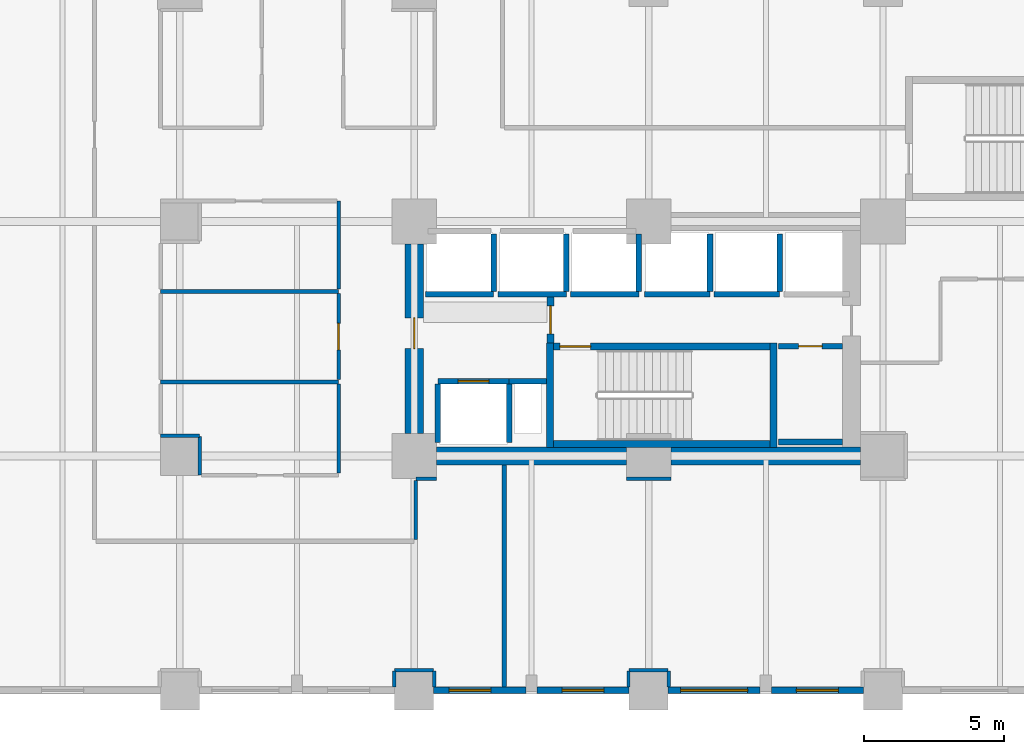
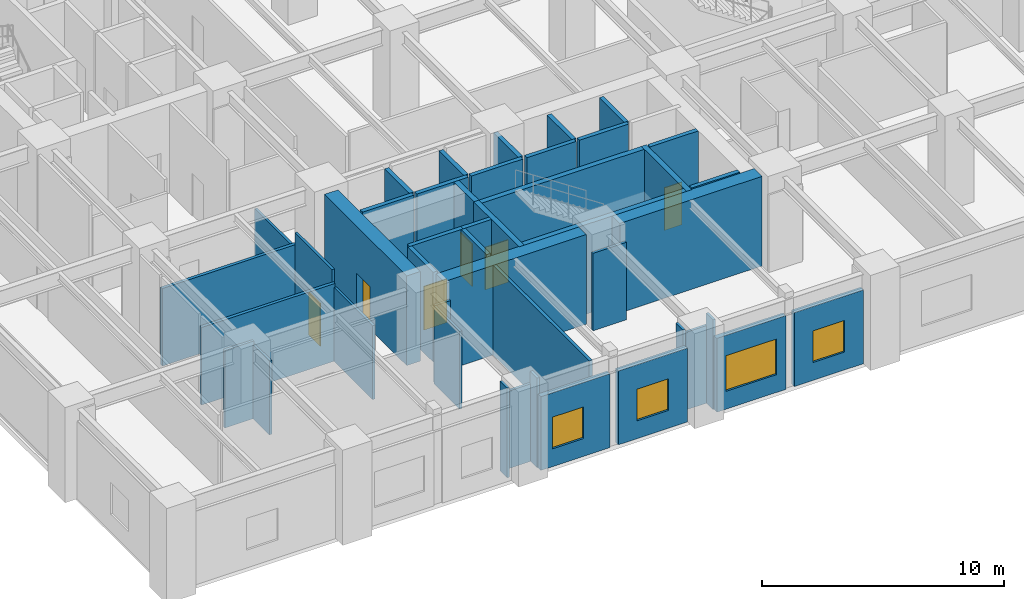
# One storey, part 19 of 23: 45 walls, 6 doors, 4 windows, 10 openings.
"""IFC4 building model written with IfcOpenShell, lengths in metres."""

from ifc_helpers import new_model, si_unit, direction, frame, frame_2d, origin, place, context, subcontext, project, spatial, rectangle, extrude, material, layer, layer_set, type_object, element, fill, save


model = new_model("IFC4")

# Units and contexts
model_context = context("Model", 3, precision=1e-05, world=origin(), true_north=direction((0.0, 1.0)))
body_context = subcontext(model_context, "Body", "Model", "MODEL_VIEW")
ifc_project = project(units=[si_unit("LENGTHUNIT", "METRE"), si_unit("AREAUNIT", "SQUARE_METRE"), si_unit("VOLUMEUNIT", "CUBIC_METRE"), si_unit("PLANEANGLEUNIT", "RADIAN"), si_unit("MASSUNIT", "GRAM", prefix="KILO")], contexts=[model_context])

# Site, building, storey
site_placement = place(None, origin())
site = spatial("IfcSite", under=ifc_project, at=site_placement, CompositionType="ELEMENT")
building_placement = place(site_placement, origin())
building = spatial("IfcBuilding", under=site, at=building_placement, Name="Nerrivon Quay Data Exchange", CompositionType="ELEMENT")
storey_placement = place(building_placement, frame((0.0, 0.0, 5.39990234375)))
storey = spatial("IfcBuildingStorey", under=building, at=storey_placement, Name="L01", CompositionType="ELEMENT", Elevation=5.39990234375)

# Wall, opening, window
ifc_material_1 = material(Name="Architectural terracotta precast concrete N50 (50 MPa)", Category="masonry")
ifc_layer_1 = layer(ifc_material_1, 0.239990234375)
ifc_layer_set_1 = layer_set([ifc_layer_1], Name="Architectural terracotta precast concrete N50 (50 MPa)")
wall_type_1 = type_object("IfcWallType", Name="EW-PREC-240", PredefinedType="STANDARD", material=ifc_layer_set_1)
wall_1_placement = place(storey_placement, frame((32.89990234375, 0.0, 0.0), z_axis=(0.0, 0.0, 1.0), x_axis=(-1.0, 0.0, 0.0)))
wall_1 = element("IfcWall", 1, at=wall_1_placement, inside=storey, type_object=wall_type_1, Name="L01 Podium Precast Spandrel Wall 23", PredefinedType="STANDARD", context=body_context, shape_type="SweptSolid", body=[
    extrude(rectangle(XDim=3.2998046875, YDim=0.239990234375, at=frame_2d((1.64990234375, 0.0))), origin(), (0.0, 0.0, 1.0), 3.72509765625),
])
opening_1_placement = place(wall_1_placement, frame((0.89990234375, 0.0, 0.89990234375)))
opening_1 = element("IfcOpeningElement", 2, at=opening_1_placement, cuts=wall_1, Name="Opening WN4", PredefinedType="OPENING", context=body_context, shape_type="SweptSolid", body=[
    extrude(rectangle(XDim=1.5, YDim=1.60009765625, at=frame_2d((0.75, 0.800048828125))), frame((0.0, 0.1298828125, 0.0), z_axis=(0.0, -1.0, 0.0), x_axis=(1.0, 0.0, 0.0)), (0.0, 0.0, 1.0), 0.260009765625),
])
ifc_material_2 = material(Name="Double-glazed low-E solar control glass", Category="glass")
window_type_1 = type_object("IfcWindowType", Name="WIN-W4-1500x1600", PartitioningType="SINGLE_PANEL", PredefinedType="WINDOW", material=ifc_material_2)
window_1_placement = place(opening_1_placement, origin())
window_1 = element("IfcWindow", 3, at=window_1_placement, inside=storey, type_object=window_type_1, Name="L01 Solar Facade Window 23", OverallHeight=1.60009765625, OverallWidth=1.5, PartitioningType="SINGLE_PANEL", PredefinedType="WINDOW", context=body_context, shape_type="SweptSolid", body=[
    extrude(rectangle(XDim=1.5, YDim=1.60009765625, at=frame_2d((0.75, 0.800048828125))), frame((0.0, 0.030029296875, 0.0), z_axis=(0.0, -1.0, 0.0), x_axis=(1.0, 0.0, 0.0)), (0.0, 0.0, 1.0), 0.06005859375),
])
fill(opening_1, window_1)

wall_2_placement = place(storey_placement, frame((29.199951171875, 0.0, 0.0), z_axis=(0.0, 0.0, 1.0), x_axis=(-1.0, 0.0, 0.0)))
wall_2 = element("IfcWall", 4, at=wall_2_placement, inside=storey, type_object=wall_type_1, Name="L01 Podium Precast Spandrel Wall 24", PredefinedType="STANDARD", context=body_context, shape_type="SweptSolid", body=[
    extrude(rectangle(XDim=3.300048828125, YDim=0.239990234375, at=frame_2d((1.64990234375, 0.0))), origin(), (0.0, 0.0, 1.0), 3.72509765625),
])
opening_2_placement = place(wall_2_placement, frame((0.449951171875, 0.0, 0.89990234375)))
opening_2 = element("IfcOpeningElement", 5, at=opening_2_placement, cuts=wall_2, Name="Opening WN1", PredefinedType="OPENING", context=body_context, shape_type="SweptSolid", body=[
    extrude(rectangle(XDim=2.39990234375, YDim=1.800048828125, at=frame_2d((1.199951171875, 0.89990234375))), frame((0.0, 0.1298828125, 0.0), z_axis=(0.0, -1.0, 0.0), x_axis=(1.0, 0.0, 0.0)), (0.0, 0.0, 1.0), 0.260009765625),
])
window_type_2 = type_object("IfcWindowType", Name="WIN-W1-2400x1800", PartitioningType="SINGLE_PANEL", PredefinedType="WINDOW", material=ifc_material_2)
window_2_placement = place(opening_2_placement, origin())
window_2 = element("IfcWindow", 6, at=window_2_placement, inside=storey, type_object=window_type_2, Name="L01 Solar Facade Window 24", OverallHeight=1.800048828125, OverallWidth=2.39990234375, PartitioningType="SINGLE_PANEL", PredefinedType="WINDOW", context=body_context, shape_type="SweptSolid", body=[
    extrude(rectangle(XDim=2.39990234375, YDim=1.800048828125, at=frame_2d((1.199951171875, 0.89990234375))), frame((0.0, 0.030029296875, 0.0), z_axis=(0.0, -1.0, 0.0), x_axis=(1.0, 0.0, 0.0)), (0.0, 0.0, 1.0), 0.06005859375),
])
fill(opening_2, window_2)

wall_3_placement = place(storey_placement, frame((24.5, 0.0, 0.0), z_axis=(0.0, 0.0, 1.0), x_axis=(-1.0, 0.0, 0.0)))
wall_3 = element("IfcWall", 7, at=wall_3_placement, inside=storey, type_object=wall_type_1, Name="L01 Podium Precast Spandrel Wall 25", PredefinedType="STANDARD", context=body_context, shape_type="SweptSolid", body=[
    extrude(rectangle(XDim=3.300048828125, YDim=0.239990234375, at=frame_2d((1.64990234375, 0.0))), origin(), (0.0, 0.0, 1.0), 3.72509765625),
])
opening_3_placement = place(wall_3_placement, frame((0.89990234375, 0.0, 0.89990234375)))
opening_3 = element("IfcOpeningElement", 8, at=opening_3_placement, cuts=wall_3, Name="Opening WN4", PredefinedType="OPENING", context=body_context, shape_type="SweptSolid", body=[
    extrude(rectangle(XDim=1.5, YDim=1.60009765625, at=frame_2d((0.75, 0.800048828125))), frame((0.0, 0.1298828125, 0.0), z_axis=(0.0, -1.0, 0.0), x_axis=(1.0, 0.0, 0.0)), (0.0, 0.0, 1.0), 0.260009765625),
])
window_3_placement = place(opening_3_placement, origin())
window_3 = element("IfcWindow", 9, at=window_3_placement, inside=storey, type_object=window_type_1, Name="L01 Solar Facade Window 25", OverallHeight=1.60009765625, OverallWidth=1.5, PartitioningType="SINGLE_PANEL", PredefinedType="WINDOW", context=body_context, shape_type="SweptSolid", body=[
    extrude(rectangle(XDim=1.5, YDim=1.60009765625, at=frame_2d((0.75, 0.800048828125))), frame((0.0, 0.030029296875, 0.0), z_axis=(0.0, -1.0, 0.0), x_axis=(1.0, 0.0, 0.0)), (0.0, 0.0, 1.0), 0.06005859375),
])
fill(opening_3, window_3)

wall_4_placement = place(storey_placement, frame((20.800048828125, 0.0, 0.0), z_axis=(0.0, 0.0, 1.0), x_axis=(-1.0, 0.0, 0.0)))
wall_4 = element("IfcWall", 10, at=wall_4_placement, inside=storey, type_object=wall_type_1, Name="L01 Podium Precast Spandrel Wall 26", PredefinedType="STANDARD", context=body_context, shape_type="SweptSolid", body=[
    extrude(rectangle(XDim=3.300048828125, YDim=0.239990234375, at=frame_2d((1.64990234375, 0.0))), origin(), (0.0, 0.0, 1.0), 3.72509765625),
])
opening_4_placement = place(wall_4_placement, frame((1.2529296875, 0.0, 0.89990234375)))
opening_4 = element("IfcOpeningElement", 11, at=opening_4_placement, cuts=wall_4, Name="Opening WN4", PredefinedType="OPENING", context=body_context, shape_type="SweptSolid", body=[
    extrude(rectangle(XDim=1.5, YDim=1.60009765625, at=frame_2d((0.75, 0.800048828125))), frame((0.0, 0.1298828125, 0.0), z_axis=(0.0, -1.0, 0.0), x_axis=(1.0, 0.0, 0.0)), (0.0, 0.0, 1.0), 0.260009765625),
])
window_4_placement = place(opening_4_placement, origin())
window_4 = element("IfcWindow", 12, at=window_4_placement, inside=storey, type_object=window_type_1, Name="L01 Solar Facade Window 26", OverallHeight=1.60009765625, OverallWidth=1.5, PartitioningType="SINGLE_PANEL", PredefinedType="WINDOW", context=body_context, shape_type="SweptSolid", body=[
    extrude(rectangle(XDim=1.5, YDim=1.60009765625, at=frame_2d((0.75, 0.800048828125))), frame((0.0, 0.030029296875, 0.0), z_axis=(0.0, -1.0, 0.0), x_axis=(1.0, 0.0, 0.0)), (0.0, 0.0, 1.0), 0.06005859375),
])
fill(opening_4, window_4)

# Walls
ifc_material_3 = material(Name="Concrete N80 (80 MPa)", Category="concrete")
ifc_layer_2 = layer(ifc_material_3, 0.64990234375)
ifc_layer_set_2 = layer_set([ifc_layer_2], Name="Concrete N80 (80 MPa)")
wall_type_2 = type_object("IfcWallType", Name="WALL-CW-850", PredefinedType="SHEAR", material=ifc_layer_set_2)
wall_5_placement = place(storey_placement, frame((17.60009765625, 8.39990234375, 0.0), z_axis=(0.0, 0.0, 1.0), x_axis=(1.0, 0.0, 0.0)))
element("IfcWall", 13, at=wall_5_placement, inside=storey, type_object=wall_type_2, Name="L01 East Split-Core Shear Wall ECW-S1", PredefinedType="SHEAR", context=body_context, shape_type="SweptSolid", body=[
    extrude(rectangle(XDim=6.7998046875, YDim=0.64990234375, at=frame_2d((3.39990234375, 0.0))), origin(), (0.0, 0.0, 1.0), 4.525146484375),
])
wall_6_placement = place(storey_placement, frame((26.0, 8.39990234375, 0.0), z_axis=(0.0, 0.0, 1.0), x_axis=(1.0, 0.0, 0.0)))
element("IfcWall", 14, at=wall_6_placement, inside=storey, type_object=wall_type_2, Name="L01 East Split-Core Shear Wall ECW-S2", PredefinedType="SHEAR", context=body_context, shape_type="SweptSolid", body=[
    extrude(rectangle(XDim=6.800048828125, YDim=0.64990234375, at=frame_2d((3.39990234375, 0.0))), origin(), (0.0, 0.0, 1.0), 4.525146484375),
])

# Wall, opening, door
wall_7_placement = place(storey_placement, frame((16.800048828125, 9.199951171875, 0.0), z_axis=(0.0, 0.0, 1.0), x_axis=(0.0, 1.0, 0.0)))
wall_7 = element("IfcWall", 15, at=wall_7_placement, inside=storey, type_object=wall_type_2, Name="L01 East Split-Core Shear Wall ECW-W1", PredefinedType="SHEAR", context=body_context, shape_type="SweptSolid", body=[
    extrude(rectangle(XDim=6.800048828125, YDim=0.64990234375, at=frame_2d((3.39990234375, 0.0))), origin(), (0.0, 0.0, 1.0), 4.525146484375),
])
opening_5_placement = place(wall_7_placement, frame((3.050048828125, 0.0, 0.0)))
opening_5 = element("IfcOpeningElement", 16, at=opening_5_placement, cuts=wall_7, Name="Opening FD-120", PredefinedType="OPENING", context=body_context, shape_type="SweptSolid", body=[
    extrude(rectangle(XDim=1.10009765625, YDim=2.14990234375, at=frame_2d((0.550048828125, 1.074951171875))), frame((0.0, 0.3349609375, 0.0), z_axis=(0.0, -1.0, 0.0), x_axis=(1.0, 0.0, 0.0)), (0.0, 0.0, 1.0), 0.669921875),
])
ifc_material_4 = material(Name="Powder-coated galvanized steel sheet", Category="steel")
door_type_1 = type_object("IfcDoorType", Name="DR-FD120-1100", OperationType="NOTDEFINED", PredefinedType="DOOR", material=ifc_material_4)
door_1_placement = place(opening_5_placement, origin())
door_1 = element("IfcDoor", 17, at=door_1_placement, inside=storey, type_object=door_type_1, Name="L01 East Core Lobby Fire Door", OperationType="SINGLE_SWING_LEFT", OverallHeight=2.14990234375, OverallWidth=1.10009765625, PredefinedType="DOOR", context=body_context, shape_type="SweptSolid", body=[
    extrude(rectangle(XDim=1.10009765625, YDim=2.14990234375, at=frame_2d((0.550048828125, 1.074951171875))), frame((0.0, 0.02490234375, 0.0), z_axis=(0.0, -1.0, 0.0), x_axis=(1.0, 0.0, 0.0)), (0.0, 0.0, 1.0), 0.050048828125),
])
fill(opening_5, door_1)

# Wall
ifc_material_5 = material(Name="Gypsum plasterboard on cold-formed framing", Category="gypsum")
ifc_layer_3 = layer(ifc_material_5, 0.199951171875)
ifc_layer_set_3 = layer_set([ifc_layer_3], Name="Gypsum plasterboard on cold-formed framing")
wall_type_3 = type_object("IfcWallType", Name="WALL-FW-200", PredefinedType="PARTITIONING", material=ifc_layer_set_3)
wall_8_placement = place(storey_placement, frame((20.199951171875, 11.080078125, 0.0), z_axis=(0.0, 0.0, 1.0), x_axis=(1.0, 0.0, 0.0)))
element("IfcWall", 18, at=wall_8_placement, inside=storey, type_object=wall_type_3, Name="L01 East Core MEP Riser Shaft Wall N", PredefinedType="PARTITIONING", context=body_context, shape_type="SweptSolid", body=[
    extrude(rectangle(XDim=1.35009765625, YDim=0.199951171875, at=frame_2d((0.675048828125, 0.0))), origin(), (0.0, 0.0, 1.0), 4.525146484375),
])

# Wall, opening, door
wall_9_placement = place(storey_placement, frame((17.64990234375, 11.080078125, 0.0), z_axis=(0.0, 0.0, 1.0), x_axis=(1.0, 0.0, 0.0)))
wall_9 = element("IfcWall", 19, at=wall_9_placement, inside=storey, type_object=wall_type_3, Name="L01 Lift Front Wall FFL-2", PredefinedType="PARTITIONING", context=body_context, shape_type="SweptSolid", body=[
    extrude(rectangle(XDim=2.550048828125, YDim=0.199951171875, at=frame_2d((1.27490234375, 0.0))), origin(), (0.0, 0.0, 1.0), 4.525146484375),
])
opening_6_placement = place(wall_9_placement, frame((0.72509765625, 0.0, 0.0)))
opening_6 = element("IfcOpeningElement", 20, at=opening_6_placement, cuts=wall_9, Name="Opening LD-120", PredefinedType="OPENING", context=body_context, shape_type="SweptSolid", body=[
    extrude(rectangle(XDim=1.10009765625, YDim=2.199951171875, at=frame_2d((0.550048828125, 1.10009765625))), frame((0.0, 0.10986328125, 0.0), z_axis=(0.0, -1.0, 0.0), x_axis=(1.0, 0.0, 0.0)), (0.0, 0.0, 1.0), 0.219970703125),
])
door_type_2 = type_object("IfcDoorType", Name="DR-LIFT-LD120", OperationType="DOUBLE_DOOR_SLIDING", PredefinedType="DOOR", material=ifc_material_4)
door_2_placement = place(opening_6_placement, origin())
door_2 = element("IfcDoor", 21, at=door_2_placement, inside=storey, type_object=door_type_2, Name="L01 Lift Landing Sliding Door FFL-2", OperationType="DOUBLE_DOOR_SLIDING", OverallHeight=2.199951171875, OverallWidth=1.10009765625, PredefinedType="DOOR", context=body_context, shape_type="SweptSolid", body=[
    extrude(rectangle(XDim=1.10009765625, YDim=2.199951171875, at=frame_2d((0.550048828125, 1.10009765625))), frame((0.0, 0.02490234375, 0.0), z_axis=(0.0, -1.0, 0.0), x_axis=(1.0, 0.0, 0.0)), (0.0, 0.0, 1.0), 0.050048828125),
])
fill(opening_6, door_2)

# Walls
for number, where, z_axis, x_axis, name in (
    (22, (20.199951171875, 8.8798828125, 0.0), (0.0, 0.0, 1.0), (0.0, 1.0, 0.0), "L01 Lift Shaft Wall FFL-2 EAST"),
    (23, (17.64990234375, 8.8798828125, 0.0), (0.0, 0.0, 1.0), (0.0, 1.0, 0.0), "L01 Lift Shaft Wall FFL-2 WEST"),
):
    element("IfcWall", number, at=place(storey_placement, frame(where, z_axis=z_axis, x_axis=x_axis)), inside=storey, type_object=wall_type_3, Name=name, PredefinedType="PARTITIONING", context=body_context, shape_type="SweptSolid", body=[
        extrude(rectangle(XDim=2.10009765625, YDim=0.199951171875, at=frame_2d((1.050048828125, 0.0))), origin(), (0.0, 0.0, 1.0), 4.525146484375),
    ])
wall_10_placement = place(storey_placement, frame((17.199951171875, 14.199951171875, 0.0), z_axis=(0.0, 0.0, 1.0), x_axis=(1.0, 0.0, 0.0)))
element("IfcWall", 24, at=wall_10_placement, inside=storey, type_object=wall_type_3, Name="L01 Lift Front Wall PL4", PredefinedType="PARTITIONING", context=body_context, shape_type="SweptSolid", body=[
    extrude(rectangle(XDim=2.449951171875, YDim=0.199951171875, at=frame_2d((1.22509765625, 0.0))), origin(), (0.0, 0.0, 1.0), 4.525146484375),
])
wall_11_placement = place(storey_placement, frame((19.64990234375, 14.300048828125, 0.0), z_axis=(0.0, 0.0, 1.0), x_axis=(0.0, 1.0, 0.0)))
element("IfcWall", 25, at=wall_11_placement, inside=storey, type_object=wall_type_3, Name="L01 Lift Shaft Wall PL4 EAST", PredefinedType="PARTITIONING", context=body_context, shape_type="SweptSolid", body=[
    extrude(rectangle(XDim=2.050048828125, YDim=0.199951171875, at=frame_2d((1.02490234375, 0.0))), origin(), (0.0, 0.0, 1.0), 4.525146484375),
])
wall_12_placement = place(storey_placement, frame((19.800048828125, 14.199951171875, 0.0), z_axis=(0.0, 0.0, 1.0), x_axis=(1.0, 0.0, 0.0)))
element("IfcWall", 26, at=wall_12_placement, inside=storey, type_object=wall_type_3, Name="L01 Lift Front Wall PL5", PredefinedType="PARTITIONING", context=body_context, shape_type="SweptSolid", body=[
    extrude(rectangle(XDim=2.449951171875, YDim=0.199951171875, at=frame_2d((1.22509765625, 0.0))), origin(), (0.0, 0.0, 1.0), 4.525146484375),
])
wall_13_placement = place(storey_placement, frame((22.25, 14.300048828125, 0.0), z_axis=(0.0, 0.0, 1.0), x_axis=(0.0, 1.0, 0.0)))
element("IfcWall", 27, at=wall_13_placement, inside=storey, type_object=wall_type_3, Name="L01 Lift Shaft Wall PL5 EAST", PredefinedType="PARTITIONING", context=body_context, shape_type="SweptSolid", body=[
    extrude(rectangle(XDim=2.050048828125, YDim=0.199951171875, at=frame_2d((1.02490234375, 0.0))), origin(), (0.0, 0.0, 1.0), 4.525146484375),
])
wall_14_placement = place(storey_placement, frame((22.39990234375, 14.199951171875, 0.0), z_axis=(0.0, 0.0, 1.0), x_axis=(1.0, 0.0, 0.0)))
element("IfcWall", 28, at=wall_14_placement, inside=storey, type_object=wall_type_3, Name="L01 Lift Front Wall PL6", PredefinedType="PARTITIONING", context=body_context, shape_type="SweptSolid", body=[
    extrude(rectangle(XDim=2.4501953125, YDim=0.199951171875, at=frame_2d((1.22509765625, 0.0))), origin(), (0.0, 0.0, 1.0), 4.525146484375),
])
wall_15_placement = place(storey_placement, frame((24.85009765625, 14.300048828125, 0.0), z_axis=(0.0, 0.0, 1.0), x_axis=(0.0, 1.0, 0.0)))
element("IfcWall", 29, at=wall_15_placement, inside=storey, type_object=wall_type_3, Name="L01 Lift Shaft Wall PL6 EAST", PredefinedType="PARTITIONING", context=body_context, shape_type="SweptSolid", body=[
    extrude(rectangle(XDim=2.050048828125, YDim=0.199951171875, at=frame_2d((1.02490234375, 0.0))), origin(), (0.0, 0.0, 1.0), 4.525146484375),
])
wall_16_placement = place(storey_placement, frame((25.050048828125, 14.199951171875, 0.0), z_axis=(0.0, 0.0, 1.0), x_axis=(1.0, 0.0, 0.0)))
element("IfcWall", 30, at=wall_16_placement, inside=storey, type_object=wall_type_3, Name="L01 Lift Front Wall PL7", PredefinedType="PARTITIONING", context=body_context, shape_type="SweptSolid", body=[
    extrude(rectangle(XDim=2.349853515625, YDim=0.199951171875, at=frame_2d((1.1748046875, 0.0))), origin(), (0.0, 0.0, 1.0), 4.525146484375),
])
wall_17_placement = place(storey_placement, frame((27.39990234375, 14.300048828125, 0.0), z_axis=(0.0, 0.0, 1.0), x_axis=(0.0, 1.0, 0.0)))
element("IfcWall", 31, at=wall_17_placement, inside=storey, type_object=wall_type_3, Name="L01 Lift Shaft Wall PL7 EAST", PredefinedType="PARTITIONING", context=body_context, shape_type="SweptSolid", body=[
    extrude(rectangle(XDim=2.050048828125, YDim=0.199951171875, at=frame_2d((1.02490234375, 0.0))), origin(), (0.0, 0.0, 1.0), 4.525146484375),
])
wall_18_placement = place(storey_placement, frame((27.550048828125, 14.199951171875, 0.0), z_axis=(0.0, 0.0, 1.0), x_axis=(1.0, 0.0, 0.0)))
element("IfcWall", 32, at=wall_18_placement, inside=storey, type_object=wall_type_3, Name="L01 Lift Front Wall PL8", PredefinedType="PARTITIONING", context=body_context, shape_type="SweptSolid", body=[
    extrude(rectangle(XDim=2.349853515625, YDim=0.199951171875, at=frame_2d((1.1748046875, 0.0))), origin(), (0.0, 0.0, 1.0), 4.525146484375),
])
wall_19_placement = place(storey_placement, frame((29.89990234375, 14.300048828125, 0.0), z_axis=(0.0, 0.0, 1.0), x_axis=(0.0, 1.0, 0.0)))
element("IfcWall", 33, at=wall_19_placement, inside=storey, type_object=wall_type_3, Name="L01 Lift Shaft Wall PL8 EAST", PredefinedType="PARTITIONING", context=body_context, shape_type="SweptSolid", body=[
    extrude(rectangle(XDim=2.050048828125, YDim=0.199951171875, at=frame_2d((1.02490234375, 0.0))), origin(), (0.0, 0.0, 1.0), 4.525146484375),
])

# Wall, opening, door
wall_20_placement = place(storey_placement, frame((32.14599609375, 12.330078125, 0.0), z_axis=(0.0, 0.0, 1.0), x_axis=(-1.0, 0.0, 0.0)))
wall_20 = element("IfcWall", 34, at=wall_20_placement, inside=storey, type_object=wall_type_3, Name="L01 Partition East Supply Store", PredefinedType="PARTITIONING", context=body_context, shape_type="SweptSolid", body=[
    extrude(rectangle(XDim=2.2958984375, YDim=0.199951171875, at=frame_2d((1.14794921875, 0.0))), origin(), (0.0, 0.0, 1.0), 4.525146484375),
])
opening_7_placement = place(wall_20_placement, frame((0.722900390625, 0.0, 0.0)))
opening_7 = element("IfcOpeningElement", 35, at=opening_7_placement, cuts=wall_20, Name="Opening FD-60S", PredefinedType="OPENING", context=body_context, shape_type="SweptSolid", body=[
    extrude(rectangle(XDim=0.85009765625, YDim=2.14990234375, at=frame_2d((0.425048828125, 1.074951171875))), frame((0.0, 0.10986328125, 0.0), z_axis=(0.0, -1.0, 0.0), x_axis=(1.0, 0.0, 0.0)), (0.0, 0.0, 1.0), 0.219970703125),
])
ifc_material_6 = material(Name="Engineered hardwood timber", Category="wood")
door_type_3 = type_object("IfcDoorType", Name="DR-FD60-850", OperationType="NOTDEFINED", PredefinedType="DOOR", material=ifc_material_6)
door_3_placement = place(opening_7_placement, origin())
door_3 = element("IfcDoor", 36, at=door_3_placement, inside=storey, type_object=door_type_3, Name="L01 Door East Supply Store", OperationType="SINGLE_SWING_LEFT", OverallHeight=2.14990234375, OverallWidth=0.85009765625, PredefinedType="DOOR", context=body_context, shape_type="SweptSolid", body=[
    extrude(rectangle(XDim=0.85009765625, YDim=2.14990234375, at=frame_2d((0.425048828125, 1.074951171875))), frame((0.0, 0.02490234375, 0.0), z_axis=(0.0, -1.0, 0.0), x_axis=(1.0, 0.0, 0.0)), (0.0, 0.0, 1.0), 0.050048828125),
])
fill(opening_7, door_3)

# Walls
wall_21_placement = place(storey_placement, frame((29.85009765625, 8.89990234375, 0.0), z_axis=(0.0, 0.0, 1.0), x_axis=(1.0, 0.0, 0.0)))
element("IfcWall", 37, at=wall_21_placement, inside=storey, type_object=wall_type_3, Name="L01 Partition East Supply Store", PredefinedType="PARTITIONING", context=body_context, shape_type="SweptSolid", body=[
    extrude(rectangle(XDim=2.2958984375, YDim=0.199951171875, at=frame_2d((1.14794921875, 0.0))), origin(), (0.0, 0.0, 1.0), 4.525146484375),
])
ifc_layer_4 = layer(ifc_material_5, 0.1201171875)
ifc_layer_set_4 = layer_set([ifc_layer_4], Name="Gypsum plasterboard on cold-formed framing")
wall_type_4 = type_object("IfcWallType", Name="WALL-PT-120", PredefinedType="PARTITIONING", material=ifc_layer_set_4)
wall_22_placement = place(storey_placement, frame((14.090087890625, 14.375, 0.0), z_axis=(0.0, 0.0, 1.0), x_axis=(0.0, 1.0, 0.0)))
element("IfcWall", 38, at=wall_22_placement, inside=storey, type_object=wall_type_4, Name="L01 Partition Subsea Meet-Me Operations Workspace", PredefinedType="PARTITIONING", context=body_context, shape_type="SweptSolid", body=[
    extrude(rectangle(XDim=3.1650390625, YDim=0.1201171875, at=frame_2d((1.58251953125, 0.0))), origin(), (0.0, 0.0, 1.0), 3.72509765625),
])

# Wall, opening, door
wall_23_placement = place(storey_placement, frame((14.090087890625, 11.131103515625, 0.0), z_axis=(0.0, 0.0, 1.0), x_axis=(0.0, 1.0, 0.0)))
wall_23 = element("IfcWall", 39, at=wall_23_placement, inside=storey, type_object=wall_type_4, Name="L01 Partition Optical Engineering Studios Workspace", PredefinedType="PARTITIONING", context=body_context, shape_type="SweptSolid", body=[
    extrude(rectangle(XDim=3.0859375, YDim=0.1201171875, at=frame_2d((1.54296875, 0.0))), origin(), (0.0, 0.0, 1.0), 4.525146484375),
])
opening_8_placement = place(wall_23_placement, frame((1.068115234375, 0.0, 0.0)))
opening_8 = element("IfcOpeningElement", 40, at=opening_8_placement, cuts=wall_23, Name="Opening D-01", PredefinedType="OPENING", context=body_context, shape_type="SweptSolid", body=[
    extrude(rectangle(XDim=0.949951171875, YDim=2.14990234375, at=frame_2d((0.47509765625, 1.074951171875))), frame((0.0, 0.070068359375, 0.0), z_axis=(0.0, -1.0, 0.0), x_axis=(1.0, 0.0, 0.0)), (0.0, 0.0, 1.0), 0.14013671875),
])
door_type_4 = type_object("IfcDoorType", Name="DR-INT-950", OperationType="NOTDEFINED", PredefinedType="DOOR", material=ifc_material_6)
door_4_placement = place(opening_8_placement, origin())
door_4 = element("IfcDoor", 41, at=door_4_placement, inside=storey, type_object=door_type_4, Name="L01 Door Optical Engineering Studios Workspace", OperationType="SINGLE_SWING_RIGHT", OverallHeight=2.14990234375, OverallWidth=0.949951171875, PredefinedType="DOOR", context=body_context, shape_type="SweptSolid", body=[
    extrude(rectangle(XDim=0.949951171875, YDim=2.14990234375, at=frame_2d((0.47509765625, 1.074951171875))), frame((0.0, 0.02490234375, 0.0), z_axis=(0.0, -1.0, 0.0), x_axis=(1.0, 0.0, 0.0)), (0.0, 0.0, 1.0), 0.050048828125),
])
fill(opening_8, door_4)

# Walls
wall_24_placement = place(storey_placement, frame((7.7099609375, 9.1201171875, 0.0), z_axis=(0.0, 0.0, 1.0), x_axis=(1.0, 0.0, 0.0)))
element("IfcWall", 42, at=wall_24_placement, inside=storey, type_object=wall_type_4, Name="L01 Partition Network Operations Office 1", PredefinedType="PARTITIONING", context=body_context, shape_type="SweptSolid", body=[
    extrude(rectangle(XDim=1.39013671875, YDim=0.1201171875, at=frame_2d((0.695068359375, 0.0))), origin(), (0.0, 0.0, 1.0), 3.9130859375),
])
wall_25_placement = place(storey_placement, frame((9.1201171875, 9.10009765625, 0.0), z_axis=(0.0, 0.0, 1.0), x_axis=(0.0, -1.0, 0.0)))
element("IfcWall", 43, at=wall_25_placement, inside=storey, type_object=wall_type_4, Name="L01 Partition Network Operations Office 1", PredefinedType="PARTITIONING", context=body_context, shape_type="SweptSolid", body=[
    extrude(rectangle(XDim=1.39013671875, YDim=0.1201171875, at=frame_2d((0.695068359375, 0.0))), origin(), (0.0, 0.0, 1.0), 3.72509765625),
])
wall_26_placement = place(storey_placement, frame((14.090087890625, 7.781494140625, 0.0), z_axis=(0.0, 0.0, 1.0), x_axis=(0.0, 1.0, 0.0)))
element("IfcWall", 44, at=wall_26_placement, inside=storey, type_object=wall_type_4, Name="L01 Partition Network Operations Office 1", PredefinedType="PARTITIONING", context=body_context, shape_type="SweptSolid", body=[
    extrude(rectangle(XDim=3.191650390625, YDim=0.1201171875, at=frame_2d((1.595703125, 0.0))), origin(), (0.0, 0.0, 1.0), 3.72509765625),
])
wall_27_placement = place(storey_placement, frame((26.005859375, 7.580810546875, 0.0), z_axis=(0.0, 0.0, 1.0), x_axis=(-0.999999896002, -0.000456065626, 0.0)))
element("IfcWall", 45, at=wall_27_placement, inside=storey, type_object=wall_type_4, Name="L01 Partition Client Conference Room 1", PredefinedType="PARTITIONING", context=body_context, shape_type="SweptSolid", body=[
    extrude(rectangle(XDim=1.60595703125, YDim=0.1201171875, at=frame_2d((0.802978515625, 0.0))), origin(), (0.0, 0.0, 1.0), 3.9130859375),
])
wall_28_placement = place(storey_placement, frame((24.47998046875, 0.1240234375, 0.0), z_axis=(0.0, 0.0, 1.0), x_axis=(0.0, 1.0, 0.0)))
element("IfcWall", 46, at=wall_28_placement, inside=storey, type_object=wall_type_4, Name="L01 Partition Client Conference Room 1", PredefinedType="PARTITIONING", context=body_context, shape_type="SweptSolid", body=[
    extrude(rectangle(XDim=0.575927734375, YDim=0.1201171875, at=frame_2d((0.2880859375, 0.0))), origin(), (0.0, 0.0, 1.0), 4.525146484375),
])
wall_29_placement = place(storey_placement, frame((24.5, 0.719970703125, 0.0), z_axis=(0.0, 0.0, 1.0), x_axis=(1.0, 0.0, 0.0)))
element("IfcWall", 47, at=wall_29_placement, inside=storey, type_object=wall_type_4, Name="L01 Partition Client Conference Room 1", PredefinedType="PARTITIONING", context=body_context, shape_type="SweptSolid", body=[
    extrude(rectangle(XDim=1.39990234375, YDim=0.1201171875, at=frame_2d((0.699951171875, 0.0))), origin(), (0.0, 0.0, 1.0), 3.9130859375),
])
for number, where, z_axis, x_axis, name in (
    (48, (25.919921875, 0.699951171875, 0.0), (0.0, 0.0, 1.0), (0.0, -1.0, 0.0), "L01 Partition Client Conference Room 1"),
    (49, (16.080078125, 0.1240234375, 0.0), (0.0, 0.0, 1.0), (0.0, 1.0, 0.0), "L01 Partition Technical Library"),
):
    element("IfcWall", number, at=place(storey_placement, frame(where, z_axis=z_axis, x_axis=x_axis)), inside=storey, type_object=wall_type_4, Name=name, PredefinedType="PARTITIONING", context=body_context, shape_type="SweptSolid", body=[
        extrude(rectangle(XDim=0.575927734375, YDim=0.1201171875, at=frame_2d((0.2880859375, 0.0))), origin(), (0.0, 0.0, 1.0), 4.525146484375),
    ])
wall_30_placement = place(storey_placement, frame((16.10009765625, 0.719970703125, 0.0), z_axis=(0.0, 0.0, 1.0), x_axis=(1.0, 0.0, 0.0)))
element("IfcWall", 50, at=wall_30_placement, inside=storey, type_object=wall_type_4, Name="L01 Partition Technical Library", PredefinedType="PARTITIONING", context=body_context, shape_type="SweptSolid", body=[
    extrude(rectangle(XDim=1.39990234375, YDim=0.1201171875, at=frame_2d((0.699951171875, 0.0))), origin(), (0.0, 0.0, 1.0), 3.9130859375),
])
wall_31_placement = place(storey_placement, frame((17.52001953125, 0.699951171875, 0.0), z_axis=(0.0, 0.0, 1.0), x_axis=(0.0, -1.0, 0.0)))
element("IfcWall", 51, at=wall_31_placement, inside=storey, type_object=wall_type_4, Name="L01 Partition Technical Library", PredefinedType="PARTITIONING", context=body_context, shape_type="SweptSolid", body=[
    extrude(rectangle(XDim=0.575927734375, YDim=0.1201171875, at=frame_2d((0.2880859375, 0.0))), origin(), (0.0, 0.0, 1.0), 4.525146484375),
])
wall_32_placement = place(storey_placement, frame((17.60009765625, 7.580078125, 0.0), z_axis=(0.0, 0.0, 1.0), x_axis=(-1.0, 0.0, 0.0)))
element("IfcWall", 52, at=wall_32_placement, inside=storey, type_object=wall_type_4, Name="L01 Partition Technical Library", PredefinedType="PARTITIONING", context=body_context, shape_type="SweptSolid", body=[
    extrude(rectangle(XDim=0.739990234375, YDim=0.1201171875, at=frame_2d((0.3701171875, 0.0))), origin(), (0.0, 0.0, 1.0), 3.9130859375),
])
wall_33_placement = place(storey_placement, frame((16.860107421875, 7.51611328125, 0.0), z_axis=(0.0, 0.0, 1.0), x_axis=(0.0, -1.0, 0.0)))
element("IfcWall", 53, at=wall_33_placement, inside=storey, type_object=wall_type_4, Name="L01 Partition Technical Library", PredefinedType="PARTITIONING", context=body_context, shape_type="SweptSolid", body=[
    extrude(rectangle(XDim=2.1162109375, YDim=0.1201171875, at=frame_2d((1.05810546875, 0.0))), origin(), (0.0, 0.0, 1.0), 3.9130859375),
])
ifc_layer_5 = layer(ifc_material_5, 0.14990234375)
ifc_layer_set_5 = layer_set([ifc_layer_5], Name="Gypsum plasterboard on cold-formed framing")
wall_type_5 = type_object("IfcWallType", Name="WALL-PT-150", PredefinedType="PARTITIONING", material=ifc_layer_set_5)
for number, where, z_axis, x_axis, name in (
    (54, (7.7099609375, 14.296142578125, 0.0), (0.0, 0.0, 1.0), (1.0, 0.0, 0.0), "L01 Partition Subsea Meet-Me Operations Workspace"),
    (55, (7.7099609375, 11.05224609375, 0.0), (0.0, 0.0, 1.0), (1.0, 0.0, 0.0), "L01 Partition Optical Engineering Studios Workspace"),
):
    element("IfcWall", number, at=place(storey_placement, frame(where, z_axis=z_axis, x_axis=x_axis)), inside=storey, type_object=wall_type_5, Name=name, PredefinedType="PARTITIONING", context=body_context, shape_type="SweptSolid", body=[
        extrude(rectangle(XDim=6.380126953125, YDim=0.14990234375, at=frame_2d((3.18994140625, 0.0))), origin(), (0.0, 0.0, 1.0), 3.9130859375),
    ])
wall_34_placement = place(storey_placement, frame((20.02392578125, 8.071044921875, 0.0), z_axis=(0.0, 0.0, 1.0), x_axis=(0.0, -1.0, 0.0)))
element("IfcWall", 56, at=wall_34_placement, inside=storey, type_object=wall_type_5, Name="L01 Partition Client Conference Room 1", PredefinedType="PARTITIONING", context=body_context, shape_type="SweptSolid", body=[
    extrude(rectangle(XDim=7.947021484375, YDim=0.14990234375, at=frame_2d((3.9736328125, 0.0))), origin(), (0.0, 0.0, 1.0), 4.525146484375),
])
ifc_material_7 = material(Name="Concrete N50 (50 MPa)", Category="concrete")
ifc_layer_6 = layer(ifc_material_7, 0.25)
ifc_layer_set_6 = layer_set([ifc_layer_6], Name="Concrete N50 (50 MPa)")
wall_type_6 = type_object("IfcWallType", Name="WALL-SW-250", PredefinedType="SHEAR", material=ifc_layer_set_6)
for number, where, z_axis, x_axis, name in (
    (57, (21.675048828125, 8.699951171875, 0.0), (0.0, 0.0, 1.0), (0.0, 1.0, 0.0), "L01 ST02 Structural Stair Core Wall NEAR"),
    (58, (29.675048828125, 8.699951171875, 0.0), (0.0, 0.0, 1.0), (0.0, 1.0, 0.0), "L01 ST02 Structural Stair Core Wall FAR"),
):
    element("IfcWall", number, at=place(storey_placement, frame(where, z_axis=z_axis, x_axis=x_axis)), inside=storey, type_object=wall_type_6, Name=name, PredefinedType="SHEAR", context=body_context, shape_type="SweptSolid", body=[
        extrude(rectangle(XDim=3.75, YDim=0.25, at=frame_2d((1.875, 0.0))), origin(), (0.0, 0.0, 1.0), 4.525146484375),
    ])
wall_35_placement = place(storey_placement, frame((21.800048828125, 8.824951171875, 0.0), z_axis=(0.0, 0.0, 1.0), x_axis=(1.0, 0.0, 0.0)))
element("IfcWall", 59, at=wall_35_placement, inside=storey, type_object=wall_type_6, Name="L01 ST02 Structural Stair Core Wall LEFT", PredefinedType="SHEAR", context=body_context, shape_type="SweptSolid", body=[
    extrude(rectangle(XDim=7.75, YDim=0.25, at=frame_2d((3.875, 0.0))), origin(), (0.0, 0.0, 1.0), 4.525146484375),
])

# Wall, opening, door
wall_36_placement = place(storey_placement, frame((21.800048828125, 12.324951171875, 0.0), z_axis=(0.0, 0.0, 1.0), x_axis=(1.0, 0.0, 0.0)))
wall_36 = element("IfcWall", 60, at=wall_36_placement, inside=storey, type_object=wall_type_6, Name="L01 ST02 Structural Stair Core Wall RIGHT", PredefinedType="SHEAR", context=body_context, shape_type="SweptSolid", body=[
    extrude(rectangle(XDim=7.75, YDim=0.25, at=frame_2d((3.875, 0.0))), origin(), (0.0, 0.0, 1.0), 4.525146484375),
])
opening_9_placement = place(wall_36_placement, frame((0.219970703125, 0.0, 0.0)))
opening_9 = element("IfcOpeningElement", 61, at=opening_9_placement, cuts=wall_36, Name="Opening FD-120", PredefinedType="OPENING", context=body_context, shape_type="SweptSolid", body=[
    extrude(rectangle(XDim=1.10009765625, YDim=2.14990234375, at=frame_2d((0.550048828125, 1.074951171875))), frame((0.0, 0.135009765625, 0.0), z_axis=(0.0, -1.0, 0.0), x_axis=(1.0, 0.0, 0.0)), (0.0, 0.0, 1.0), 0.27001953125),
])
door_5_placement = place(opening_9_placement, origin())
door_5 = element("IfcDoor", 62, at=door_5_placement, inside=storey, type_object=door_type_1, Name="L01 Protected Stair Door ST02", OperationType="SINGLE_SWING_LEFT", OverallHeight=2.14990234375, OverallWidth=1.10009765625, PredefinedType="DOOR", context=body_context, shape_type="SweptSolid", body=[
    extrude(rectangle(XDim=1.10009765625, YDim=2.14990234375, at=frame_2d((0.550048828125, 1.074951171875))), frame((0.0, 0.02490234375, 0.0), z_axis=(0.0, -1.0, 0.0), x_axis=(1.0, 0.0, 0.0)), (0.0, 0.0, 1.0), 0.050048828125),
])
fill(opening_9, door_5)

wall_37_placement = place(storey_placement, frame((21.679931640625, 12.449951171875, 0.0), z_axis=(0.0, 0.0, 1.0), x_axis=(0.0, 1.0, 0.0)))
wall_37 = element("IfcWall", 63, at=wall_37_placement, inside=storey, type_object=wall_type_6, Name="L01 East Firefighting Lobby Wall", PredefinedType="SHEAR", context=body_context, shape_type="SweptSolid", body=[
    extrude(rectangle(XDim=1.650146484375, YDim=0.25, at=frame_2d((0.8251953125, 0.0))), origin(), (0.0, 0.0, 1.0), 4.525146484375),
])
opening_10_placement = place(wall_37_placement, frame((0.324951171875, 0.0, 0.0)))
opening_10 = element("IfcOpeningElement", 64, at=opening_10_placement, cuts=wall_37, Name="Opening FD-60", PredefinedType="OPENING", context=body_context, shape_type="SweptSolid", body=[
    extrude(rectangle(XDim=1.0, YDim=2.14990234375, at=frame_2d((0.5, 1.074951171875))), frame((0.0, 0.135009765625, 0.0), z_axis=(0.0, -1.0, 0.0), x_axis=(1.0, 0.0, 0.0)), (0.0, 0.0, 1.0), 0.27001953125),
])
door_type_5 = type_object("IfcDoorType", Name="DR-FD60-1000", OperationType="NOTDEFINED", PredefinedType="DOOR", material=ifc_material_6)
door_6_placement = place(opening_10_placement, origin())
door_6 = element("IfcDoor", 65, at=door_6_placement, inside=storey, type_object=door_type_5, Name="L01 East Firefighting Lobby Fire Door", OperationType="SINGLE_SWING_RIGHT", OverallHeight=2.14990234375, OverallWidth=1.0, PredefinedType="DOOR", context=body_context, shape_type="SweptSolid", body=[
    extrude(rectangle(XDim=1.0, YDim=2.14990234375, at=frame_2d((0.5, 1.074951171875))), frame((0.0, 0.02490234375, 0.0), z_axis=(0.0, -1.0, 0.0), x_axis=(1.0, 0.0, 0.0)), (0.0, 0.0, 1.0), 0.050048828125),
])
fill(opening_10, door_6)

save(model, "model.ifc")
